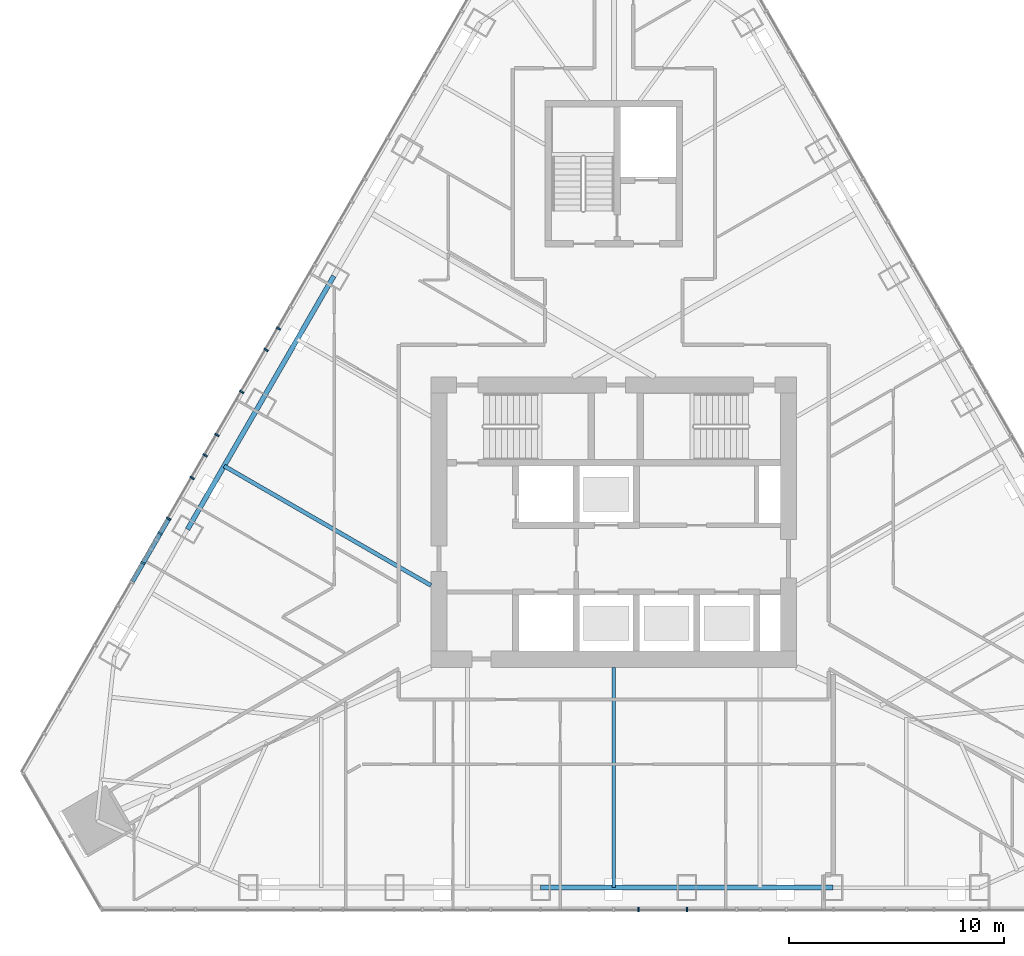
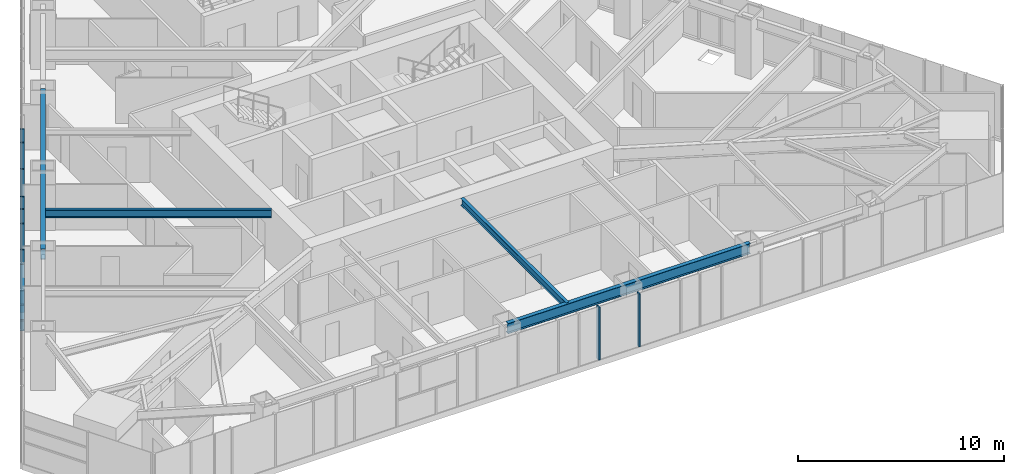
# One storey, part 4 of 19: 13 members, 4 beams, 2 elements without a shape of their own.
"""IFC4 building model written with IfcOpenShell, lengths in metres."""

import ifcopenshell
import ifcopenshell.guid

model = None  # the IFC model being written
_history = None  # IfcOwnerHistory: only IFC2X3 demands one
_inside = {}  # id of a spatial element -> (the spatial element, [elements in it])
_under = {}  # id of a project, library or spatial element -> (it, [spatial elements below it])
_declared = {}  # id of a project -> (the project, [libraries it declares])
_typed = {}  # id of a type object -> (the type object, [elements of that type])
_made_of = {}  # id of a material, layer set ... -> (it, [elements and type objects made of it])


def new_model(schema):
    """Start an empty IFC model of exactly this schema.

    Asked for "IFC4X3", IfcOpenShell would pick the latest addendum, in which some entities
    have other attributes; the version numbers below select the first issue.
    IFC2X3 requires an IfcOwnerHistory on every rooted entity: one is made here for all.
    """
    global model, _history
    if schema == "IFC4X3":
        model = ifcopenshell.file(schema_version=(4, 3, 0, 0))
    else:
        model = ifcopenshell.file(schema=schema)
    _inside.clear()
    _under.clear()
    _declared.clear()
    _typed.clear()
    _made_of.clear()
    _history = None
    if model.schema == "IFC2X3":
        org = make("IfcOrganization", Name="unknown")
        user = make(
            "IfcPersonAndOrganization",
            ThePerson=make("IfcPerson", FamilyName="unknown"),
            TheOrganization=org,
        )
        app = make(
            "IfcApplication",
            ApplicationDeveloper=org,
            Version="unknown",
            ApplicationFullName="unknown",
            ApplicationIdentifier="unknown",
        )
        _history = make(
            "IfcOwnerHistory",
            OwningUser=user,
            OwningApplication=app,
            ChangeAction="ADDED",
            CreationDate=0,
        )
    return model


def make(cls, **values):
    """One entity of the class cls with the attributes given. An attribute that is None is left unset."""
    return model.create_entity(
        cls, **{name: value for name, value in values.items() if value is not None}
    )


def rooted(cls, **values):
    """An entity with a GlobalId (a new one), such as an element, a storey or a relation."""
    return make(cls, GlobalId=ifcopenshell.guid.new(), OwnerHistory=_history, **values)


def si_unit(unit_type, name, prefix=None):
    """IfcSIUnit, for example si_unit("LENGTHUNIT", "METRE", prefix="MILLI")."""
    return make("IfcSIUnit", UnitType=unit_type, Prefix=prefix, Name=name)


def assignment(units):
    """IfcUnitAssignment: the units of a project."""
    return None if units is None else make("IfcUnitAssignment", Units=units)


def point(xyz):
    """IfcCartesianPoint."""
    return None if xyz is None else make("IfcCartesianPoint", Coordinates=xyz)


def direction(xyz):
    """IfcDirection."""
    return None if xyz is None else make("IfcDirection", DirectionRatios=xyz)


def frame(location, z_axis=None, x_axis=None):
    """IfcAxis2Placement3D, a coordinate frame: its origin and axes. An axis left out is left unset."""
    return make(
        "IfcAxis2Placement3D",
        Location=point(location),
        Axis=direction(z_axis),
        RefDirection=direction(x_axis),
    )


def frame_2d(location, x_axis=None):
    """IfcAxis2Placement2D, a coordinate frame in the plane: its origin and x axis."""
    return make(
        "IfcAxis2Placement2D", Location=point(location), RefDirection=direction(x_axis)
    )


def origin():
    """The frame at (0, 0, 0) with its axes left unset."""
    return frame((0.0, 0.0, 0.0))


def origin_2d():
    """The frame at (0, 0) in the plane with its x axis left unset."""
    return frame_2d((0.0, 0.0))


def place(relative_to, where):
    """IfcLocalPlacement: puts the frame where relative to a parent placement (None: the world)."""
    return make(
        "IfcLocalPlacement", PlacementRelTo=relative_to, RelativePlacement=where
    )


def context(
    kind, dimensions, precision=None, world=None, true_north=None, identifier=None
):
    """IfcGeometricRepresentationContext, for example the 3D "Model" context."""
    return make(
        "IfcGeometricRepresentationContext",
        ContextIdentifier=identifier,
        ContextType=kind,
        CoordinateSpaceDimension=dimensions,
        Precision=precision,
        WorldCoordinateSystem=world,
        TrueNorth=true_north,
    )


def subcontext(parent, identifier, kind, view, scale=None):
    """IfcGeometricRepresentationSubContext, for example "Body" below "Model"."""
    return make(
        "IfcGeometricRepresentationSubContext",
        ContextIdentifier=identifier,
        ContextType=kind,
        ParentContext=parent,
        TargetScale=scale,
        TargetView=view,
    )


def project(units=None, contexts=None):
    """IfcProject with its units and contexts."""
    return rooted(
        "IfcProject",
        Name="project",
        RepresentationContexts=contexts,
        UnitsInContext=assignment(units),
    )


def spatial(cls, under=None, at=None, **own):
    """A site, building, storey or space (cls), placed at a placement, below another one or the project."""
    s = rooted(cls, ObjectPlacement=at, **own)
    if under is not None:
        _under.setdefault(under.id(), (under, []))[1].append(s)
    return s


def profile(cls, at=None, kind="AREA", **sizes):
    """A parametric profile (cls). Its sizes go by their IFC names, for example OverallWidth=200.0."""
    return make(cls, ProfileType=kind, Position=at, **sizes)


def rectangle(**sizes):
    """IfcRectangleProfileDef."""
    return profile("IfcRectangleProfileDef", **sizes)


def i_section(**sizes):
    """IfcIShapeProfileDef."""
    return profile("IfcIShapeProfileDef", **sizes)


def extrude(swept, where, along, depth):
    """IfcExtrudedAreaSolid: the profile swept, set in the frame where, extruded along a direction by depth."""
    return make(
        "IfcExtrudedAreaSolid",
        SweptArea=swept,
        Position=where,
        ExtrudedDirection=direction(along),
        Depth=depth,
    )


def shape(context_of_items, identifier, shape_type, items):
    """IfcShapeRepresentation: the items that make up one representation, for example the "Body"."""
    return make(
        "IfcShapeRepresentation",
        ContextOfItems=context_of_items,
        RepresentationIdentifier=identifier,
        RepresentationType=shape_type,
        Items=items,
    )


def material(Name=None, Category=None):
    """IfcMaterial."""
    return make("IfcMaterial", Name=Name, Category=Category)


def layer(
    of_material, thickness, ventilated=None, Name=None, Category=None, Priority=None
):
    """IfcMaterialLayer: one layer of a wall or slab, of a material (None: an air gap)."""
    return make(
        "IfcMaterialLayer",
        Material=of_material,
        LayerThickness=thickness,
        IsVentilated=ventilated,
        Name=Name,
        Category=Category,
        Priority=Priority,
    )


def layer_set(layers, Name=None):
    """IfcMaterialLayerSet."""
    return make("IfcMaterialLayerSet", MaterialLayers=layers, LayerSetName=Name)


def material_profile(
    of_material, cross_section, Name=None, Category=None, Priority=None
):
    """IfcMaterialProfile: a cross section and its material."""
    return make(
        "IfcMaterialProfile",
        Name=Name,
        Material=of_material,
        Profile=cross_section,
        Priority=Priority,
        Category=Category,
    )


def profile_set(profiles, Name=None, composite=None):
    """IfcMaterialProfileSet."""
    return make(
        "IfcMaterialProfileSet",
        Name=Name,
        MaterialProfiles=profiles,
        CompositeProfile=composite,
    )


def made_of(thing, what):
    """Note that an element or type object is made of a material, layer set ...; save() writes the relation."""
    if what is not None:
        _made_of.setdefault(what.id(), (what, []))[1].append(thing)
    return thing


def type_object(cls, material=None, **own):
    """A type object (cls), such as IfcWallType, which elements share."""
    return made_of(rooted(cls, **own), material)


def element(
    cls,
    number,
    at=None,
    inside=None,
    cuts=None,
    type_object=None,
    material=None,
    context=None,
    identifier="Body",
    shape_type=None,
    held_by="IfcProductDefinitionShape",
    body=None,
    shapes=None,
    **own,
):
    """One element of the class cls, such as IfcWall. Its Tag is "e" and its number.

    at: its placement. inside: the storey or other place that contains it. cuts: it is an
    opening in that element (IfcRelVoidsElement). A single representation is given by context,
    identifier, shape_type and body (its items); several are given by shapes. held_by: the class
    of the entity that holds the representations. save() writes the other relations.
    """
    e = rooted(cls, Tag="e%d" % number, ObjectPlacement=at, **own)
    if body is not None:
        shapes = [shape(context, identifier, shape_type, body)]
    if shapes is not None:
        e.Representation = make(held_by, Representations=shapes)
    if inside is not None:
        _inside.setdefault(inside.id(), (inside, []))[1].append(e)
    if cuts is not None:
        rooted(
            "IfcRelVoidsElement", RelatingBuildingElement=cuts, RelatedOpeningElement=e
        )
    if type_object is not None:
        _typed.setdefault(type_object.id(), (type_object, []))[1].append(e)
    return made_of(e, material)


def aggregate(whole, parts):
    """IfcRelAggregates: a whole, such as a stair, and the parts it consists of."""
    return rooted("IfcRelAggregates", RelatingObject=whole, RelatedObjects=parts)


def save(model, path):
    """Write the relations noted so far, then the file.

    IfcRelAggregates (storeys below a building ...), IfcRelContainedInSpatialStructure (elements
    in a storey), IfcRelDefinesByType, IfcRelAssociatesMaterial and IfcRelDeclares: one each for
    every whole, place, type object, material and project.
    """
    for whole, parts in _under.values():
        aggregate(whole, parts)
    for where, things in _inside.values():
        rooted(
            "IfcRelContainedInSpatialStructure",
            RelatedElements=things,
            RelatingStructure=where,
        )
    for kind, things in _typed.values():
        rooted("IfcRelDefinesByType", RelatedObjects=things, RelatingType=kind)
    for what, things in _made_of.values():
        rooted("IfcRelAssociatesMaterial", RelatedObjects=things, RelatingMaterial=what)
    for by, libraries in _declared.values():
        rooted("IfcRelDeclares", RelatingContext=by, RelatedDefinitions=libraries)
    model.write(path)


model = new_model("IFC4")

# Units and contexts
model_context = context("Model", 3, precision=1e-05, world=origin(), true_north=direction((0.0, 1.0)))
body_context = subcontext(model_context, "Body", "Model", "MODEL_VIEW")
ifc_project = project(units=[si_unit("LENGTHUNIT", "METRE"), si_unit("AREAUNIT", "SQUARE_METRE"), si_unit("VOLUMEUNIT", "CUBIC_METRE"), si_unit("PLANEANGLEUNIT", "RADIAN"), si_unit("MASSUNIT", "GRAM", prefix="KILO")], contexts=[model_context])

# Site, building, storey
site_placement = place(None, origin())
site = spatial("IfcSite", under=ifc_project, at=site_placement, CompositionType="ELEMENT")
building_placement = place(site_placement, origin())
building = spatial("IfcBuilding", under=site, at=building_placement, Name="Firuza Gate Tower and Library", CompositionType="ELEMENT")
storey_placement = place(building_placement, frame((0.0, 0.0, 256.60009765625)))
storey = spatial("IfcBuildingStorey", under=building, at=storey_placement, Name="L60", CompositionType="ELEMENT", Elevation=256.60009765625)

# Curtain wall, members
ifc_material_1 = material(Name="Aluminium 6063-T6", Category="aluminium")
ifc_layer = layer(ifc_material_1, 0.14990234375)
ifc_layer_set = layer_set([ifc_layer], Name="Unitised curtain wall, residences")
curtain_wall_type = type_object("IfcCurtainWallType", Name="Unitised curtain wall, residences", PredefinedType="NOTDEFINED", material=ifc_layer_set)
placement = place(storey_placement, origin())
curtain_wall_1 = element("IfcCurtainWall", 1, at=placement, inside=storey, type_object=curtain_wall_type, Name="CW3 L60 S face", PredefinedType="NOTDEFINED")
ifc_material_2 = material(Name="Aluminium 6063-T6", Category="aluminium")
ifc_material_profile_1 = material_profile(ifc_material_2, rectangle(XDim=0.219970703125, YDim=0.080078125, at=origin_2d()))
ifc_profile_set_1 = profile_set([ifc_material_profile_1], Name="Aluminium 6063-T6")
member_type_1 = type_object("IfcMemberType", Name="Curtain wall mullion 80x220", PredefinedType="MULLION", material=ifc_profile_set_1)
member_1_placement = place(storey_placement, frame((78.40625, 56.9921875, 0.14990234375), z_axis=(0.0, 0.0, 1.0), x_axis=(0.0, 1.0, 0.0)))
member_1 = element("IfcMember", 2, at=member_1_placement, type_object=member_type_1, Name="Mullion", PredefinedType="MULLION", context=body_context, shape_type="SweptSolid", body=[
    extrude(rectangle(XDim=0.219970703125, YDim=0.080078125, at=origin_2d()), origin(), (0.0, 0.0, 1.0), 3.14990234375),
])
member_2_placement = place(storey_placement, frame((76.149658203125, 56.9921875, 0.14990234375), z_axis=(0.0, 0.0, 1.0), x_axis=(0.0, 1.0, 0.0)))
member_2 = element("IfcMember", 3, at=member_2_placement, type_object=member_type_1, Name="Mullion", PredefinedType="MULLION", context=body_context, shape_type="SweptSolid", body=[
    extrude(rectangle(XDim=0.219970703125, YDim=0.080078125, at=origin_2d()), origin(), (0.0, 0.0, 1.0), 3.14990234375),
])
aggregate(curtain_wall_1, [member_1, member_2])

curtain_wall_2 = element("IfcCurtainWall", 4, at=placement, inside=storey, type_object=curtain_wall_type, Name="CW3 L60 W face", PredefinedType="NOTDEFINED")
member_3_placement = place(storey_placement, frame((59.40478515625, 84.00390625, 0.14990234375), z_axis=(0.0, 0.0, 1.0), x_axis=(0.866025403784, -0.5, 0.0)))
member_3 = element("IfcMember", 5, at=member_3_placement, type_object=member_type_1, Name="Mullion", PredefinedType="MULLION", context=body_context, shape_type="SweptSolid", body=[
    extrude(rectangle(XDim=0.219970703125, YDim=0.080078125, at=origin_2d()), origin(), (0.0, 0.0, 1.0), 3.14990234375),
])
member_4_placement = place(storey_placement, frame((57.70166015625, 81.05419921875, 0.14990234375), z_axis=(0.0, 0.0, 1.0), x_axis=(0.866025403784, -0.5, 0.0)))
member_4 = element("IfcMember", 6, at=member_4_placement, type_object=member_type_1, Name="Mullion", PredefinedType="MULLION", context=body_context, shape_type="SweptSolid", body=[
    extrude(rectangle(XDim=0.219970703125, YDim=0.080078125, at=origin_2d()), origin(), (0.0, 0.0, 1.0), 3.14990234375),
])
member_5_placement = place(storey_placement, frame((55.99853515625, 78.104248046875, 0.14990234375), z_axis=(0.0, 0.0, 1.0), x_axis=(0.866025403784, -0.5, 0.0)))
member_5 = element("IfcMember", 7, at=member_5_placement, type_object=member_type_1, Name="Mullion", PredefinedType="MULLION", context=body_context, shape_type="SweptSolid", body=[
    extrude(rectangle(XDim=0.219970703125, YDim=0.080078125, at=origin_2d()), origin(), (0.0, 0.0, 1.0), 3.14990234375),
])
member_6_placement = place(storey_placement, frame((54.29541015625, 75.154296875, 0.14990234375), z_axis=(0.0, 0.0, 1.0), x_axis=(0.866025403784, -0.5, 0.0)))
member_6 = element("IfcMember", 8, at=member_6_placement, type_object=member_type_1, Name="Mullion", PredefinedType="MULLION", context=body_context, shape_type="SweptSolid", body=[
    extrude(rectangle(XDim=0.219970703125, YDim=0.080078125, at=origin_2d()), origin(), (0.0, 0.0, 1.0), 3.14990234375),
])
member_7_placement = place(storey_placement, frame((58.829833984375, 83.00830078125, 0.14990234375), z_axis=(0.0, 0.0, 1.0), x_axis=(0.866025403784, -0.5, 0.0)))
member_7 = element("IfcMember", 9, at=member_7_placement, type_object=member_type_1, Name="Mullion", PredefinedType="MULLION", context=body_context, shape_type="SweptSolid", body=[
    extrude(rectangle(XDim=0.219970703125, YDim=0.080078125, at=origin_2d()), origin(), (0.0, 0.0, 1.0), 3.14990234375),
])
member_8_placement = place(storey_placement, frame((56.5439453125, 79.048828125, 0.14990234375), z_axis=(0.0, 0.0, 1.0), x_axis=(0.866025403784, -0.5, 0.0)))
member_8 = element("IfcMember", 10, at=member_8_placement, type_object=member_type_1, Name="Mullion", PredefinedType="MULLION", context=body_context, shape_type="SweptSolid", body=[
    extrude(rectangle(XDim=0.219970703125, YDim=0.080078125, at=origin_2d()), origin(), (0.0, 0.0, 1.0), 3.14990234375),
])
member_9_placement = place(storey_placement, frame((55.39404296875, 77.057373046875, 0.14990234375), z_axis=(0.0, 0.0, 1.0), x_axis=(0.866025403784, -0.5, 0.0)))
member_9 = element("IfcMember", 11, at=member_9_placement, type_object=member_type_1, Name="Mullion", PredefinedType="MULLION", context=body_context, shape_type="SweptSolid", body=[
    extrude(rectangle(XDim=0.219970703125, YDim=0.080078125, at=origin_2d()), origin(), (0.0, 0.0, 1.0), 3.14990234375),
])
member_10_placement = place(storey_placement, frame((53.89892578125, 74.467529296875, 0.14990234375), z_axis=(0.0, 0.0, 1.0), x_axis=(0.866025403784, -0.5, 0.0)))
member_10 = element("IfcMember", 12, at=member_10_placement, type_object=member_type_1, Name="Mullion", PredefinedType="MULLION", context=body_context, shape_type="SweptSolid", body=[
    extrude(rectangle(XDim=0.219970703125, YDim=0.080078125, at=origin_2d()), origin(), (0.0, 0.0, 1.0), 1.260009765625),
])
member_11_placement = place(storey_placement, frame((53.108154296875, 73.097900390625, 0.14990234375), z_axis=(0.0, 0.0, 1.0), x_axis=(0.866025403784, -0.5, 0.0)))
member_11 = element("IfcMember", 13, at=member_11_placement, type_object=member_type_1, Name="Mullion", PredefinedType="MULLION", context=body_context, shape_type="SweptSolid", body=[
    extrude(rectangle(XDim=0.219970703125, YDim=0.080078125, at=origin_2d()), origin(), (0.0, 0.0, 1.0), 1.260009765625),
])
ifc_material_3 = material(Name="Aluminium 6063-T6", Category="aluminium")
ifc_material_profile_2 = material_profile(ifc_material_3, rectangle(XDim=0.219970703125, YDim=0.080078125, at=origin_2d()))
ifc_profile_set_2 = profile_set([ifc_material_profile_2], Name="Aluminium 6063-T6")
member_type_2 = type_object("IfcMemberType", Name="Curtain wall transom 80x220", PredefinedType="USERDEFINED", material=ifc_profile_set_2)
member_12_placement = place(storey_placement, frame((54.275390625, 75.119873046875, 1.449951171875), z_axis=(-0.499991421906, -0.866030356293, 0.0), x_axis=(0.866030356293, -0.499991421906, 0.0)))
member_12 = element("IfcMember", 14, at=member_12_placement, type_object=member_type_2, Name="Transom", ObjectType="TRANSOM", PredefinedType="USERDEFINED", context=body_context, shape_type="SweptSolid", body=[
    extrude(rectangle(XDim=0.219970703125, YDim=0.080078125, at=origin_2d()), origin(), (0.0, 0.0, 1.0), 3.326171875),
])
member_13_placement = place(storey_placement, frame((54.275390625, 75.119873046875, 2.375), z_axis=(-0.499991421906, -0.866030356293, 0.0), x_axis=(0.866030356293, -0.499991421906, 0.0)))
member_13 = element("IfcMember", 15, at=member_13_placement, type_object=member_type_2, Name="Transom", ObjectType="TRANSOM", PredefinedType="USERDEFINED", context=body_context, shape_type="SweptSolid", body=[
    extrude(rectangle(XDim=0.219970703125, YDim=0.080078125, at=origin_2d()), origin(), (0.0, 0.0, 1.0), 3.326171875),
])
aggregate(curtain_wall_2, [member_3, member_4, member_5, member_6, member_7, member_8, member_9, member_10, member_11, member_12, member_13])

# Beams
ifc_material_4 = material(Name="Steel S355", Category="steel")
ifc_material_profile_3 = material_profile(ifc_material_4, i_section(OverallWidth=0.177978515625, OverallDepth=0.406982421875, WebThickness=0.0078125, FlangeThickness=0.0126953125, at=origin_2d()))
ifc_profile_set_3 = profile_set([ifc_material_profile_3], Name="Steel S355")
beam_type_1 = type_object("IfcBeamType", Name="W410x60 Floor beam", PredefinedType="JOIST", material=ifc_profile_set_3)
beam_1_placement = place(storey_placement, frame((75.0, 58.002197265625, 3.096435546875), z_axis=(0.0, 1.0, 0.0), x_axis=(-1.0, 0.0, 0.0)))
element("IfcBeam", 16, at=beam_1_placement, inside=storey, type_object=beam_type_1, Name="Floor beam L60 s22", PredefinedType="JOIST", context=body_context, shape_type="SweptSolid", body=[
    extrude(i_section(OverallWidth=0.177978515625, OverallDepth=0.406982421875, WebThickness=0.0078125, FlangeThickness=0.0126953125, at=origin_2d()), origin(), (0.0, 0.0, 1.0), 10.247802734375),
])
ifc_material_5 = material(Name="Steel S355", Category="steel")
ifc_material_profile_4 = material_profile(ifc_material_5, i_section(OverallWidth=0.18994140625, OverallDepth=0.45703125, WebThickness=0.009033203125, FlangeThickness=0.014404296875, at=origin_2d()))
ifc_profile_set_4 = profile_set([ifc_material_profile_4], Name="Steel S355")
beam_type_2 = type_object("IfcBeamType", Name="W460x74 Floor beam", PredefinedType="JOIST", material=ifc_profile_set_4)
beam_2_placement = place(storey_placement, frame((56.87939453125, 77.60986328125, 3.0712890625), z_axis=(0.866026019563, -0.499998933439, 0.0), x_axis=(0.499998933439, 0.866026019563, 0.0)))
element("IfcBeam", 17, at=beam_2_placement, inside=storey, type_object=beam_type_2, Name="Floor beam L60 s83", PredefinedType="JOIST", context=body_context, shape_type="SweptSolid", body=[
    extrude(i_section(OverallWidth=0.18994140625, OverallDepth=0.45703125, WebThickness=0.009033203125, FlangeThickness=0.014404296875, at=origin_2d()), origin(), (0.0, 0.0, 1.0), 11.10888671875),
])
ifc_material_6 = material(Name="Steel S355", Category="steel")
ifc_material_profile_5 = material_profile(ifc_material_6, i_section(OverallWidth=0.22900390625, OverallDepth=0.612060546875, WebThickness=0.011962890625, FlangeThickness=0.01953125, at=origin_2d()))
ifc_profile_set_5 = profile_set([ifc_material_profile_5], Name="Steel S355")
beam_type_3 = type_object("IfcBeamType", Name="W610x125 Edge beam", PredefinedType="SPANDREL", material=ifc_profile_set_5)
for number, where, z_axis, x_axis, name in (
    (18, (71.60009765625, 58.002197265625, 2.993896484375), (1.0, 0.0, 0.0), (0.0, 1.0, 0.0), "Edge beam L60 e22"),
    (19, (61.9794921875, 86.443359375, 2.993896484375), (-0.500006305228, -0.866021763429, 0.0), (0.866021763429, -0.500006305228, 0.0), "Edge beam L60 e82"),
):
    element("IfcBeam", number, at=place(storey_placement, frame(where, z_axis=z_axis, x_axis=x_axis)), inside=storey, type_object=beam_type_3, Name=name, PredefinedType="SPANDREL", context=body_context, shape_type="SweptSolid", body=[
        extrude(i_section(OverallWidth=0.22900390625, OverallDepth=0.612060546875, WebThickness=0.011962890625, FlangeThickness=0.01953125, at=origin_2d()), origin(), (0.0, 0.0, 1.0), 13.599853515625),
    ])

save(model, "model.ifc")
